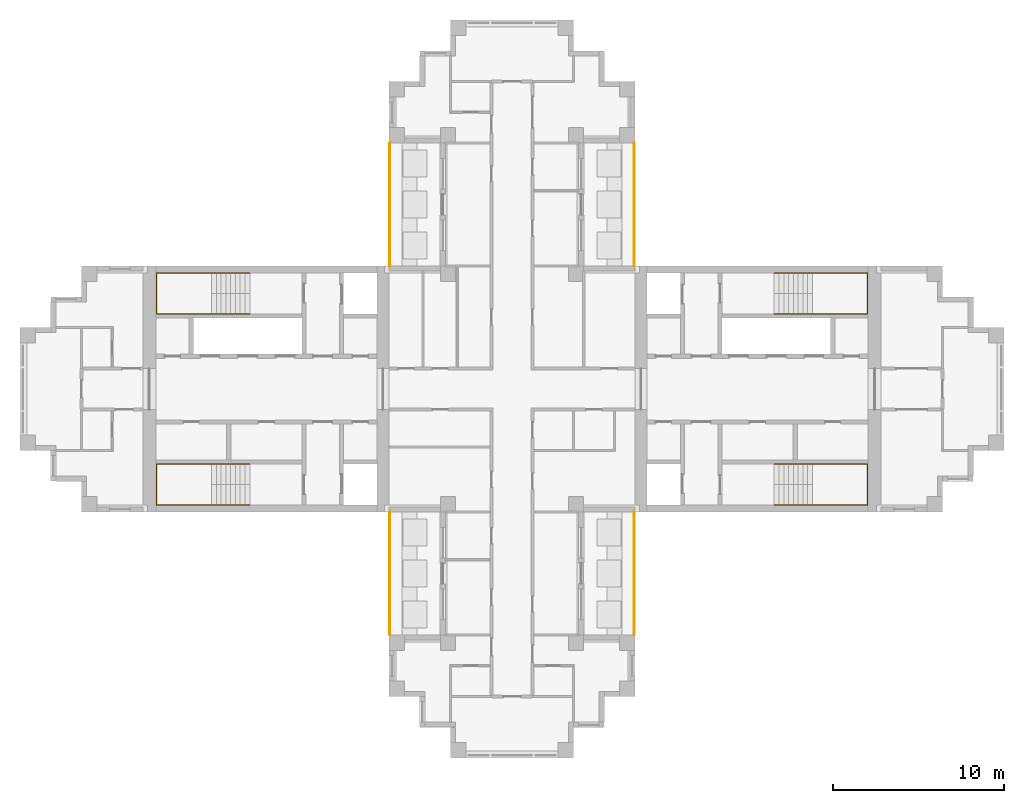
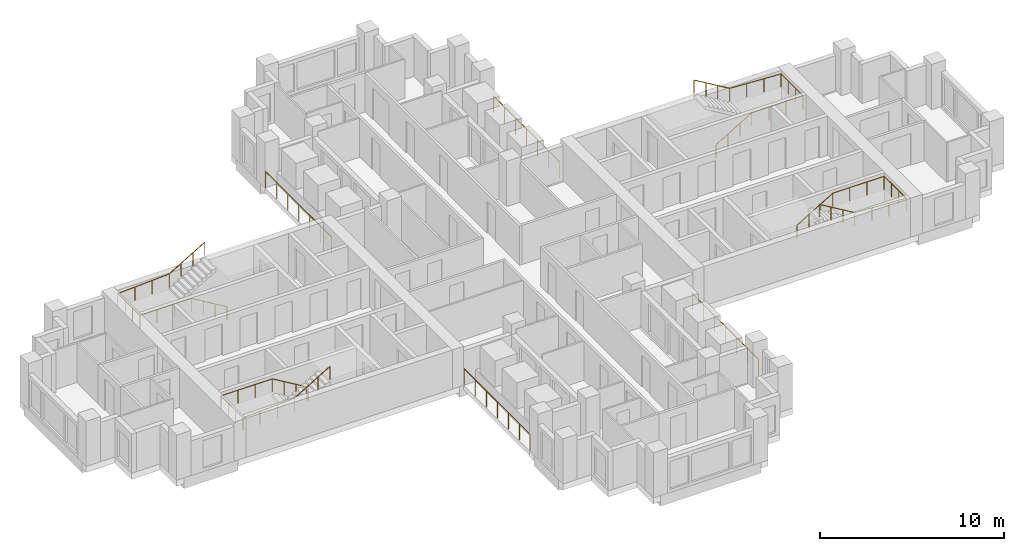
# One storey, part 9 of 10: 8 railings.
"""IFC4 building model written with IfcOpenShell, lengths in metres."""

import ifcopenshell
import ifcopenshell.guid

model = None  # the IFC model being written
_history = None  # IfcOwnerHistory: only IFC2X3 demands one
_inside = {}  # id of a spatial element -> (the spatial element, [elements in it])
_under = {}  # id of a project, library or spatial element -> (it, [spatial elements below it])
_declared = {}  # id of a project -> (the project, [libraries it declares])
_typed = {}  # id of a type object -> (the type object, [elements of that type])
_made_of = {}  # id of a material, layer set ... -> (it, [elements and type objects made of it])


def new_model(schema):
    """Start an empty IFC model of exactly this schema.

    Asked for "IFC4X3", IfcOpenShell would pick the latest addendum, in which some entities
    have other attributes; the version numbers below select the first issue.
    IFC2X3 requires an IfcOwnerHistory on every rooted entity: one is made here for all.
    """
    global model, _history
    if schema == "IFC4X3":
        model = ifcopenshell.file(schema_version=(4, 3, 0, 0))
    else:
        model = ifcopenshell.file(schema=schema)
    _inside.clear()
    _under.clear()
    _declared.clear()
    _typed.clear()
    _made_of.clear()
    _history = None
    if model.schema == "IFC2X3":
        org = make("IfcOrganization", Name="unknown")
        user = make(
            "IfcPersonAndOrganization",
            ThePerson=make("IfcPerson", FamilyName="unknown"),
            TheOrganization=org,
        )
        app = make(
            "IfcApplication",
            ApplicationDeveloper=org,
            Version="unknown",
            ApplicationFullName="unknown",
            ApplicationIdentifier="unknown",
        )
        _history = make(
            "IfcOwnerHistory",
            OwningUser=user,
            OwningApplication=app,
            ChangeAction="ADDED",
            CreationDate=0,
        )
    return model


def make(cls, **values):
    """One entity of the class cls with the attributes given. An attribute that is None is left unset."""
    return model.create_entity(
        cls, **{name: value for name, value in values.items() if value is not None}
    )


def rooted(cls, **values):
    """An entity with a GlobalId (a new one), such as an element, a storey or a relation."""
    return make(cls, GlobalId=ifcopenshell.guid.new(), OwnerHistory=_history, **values)


def si_unit(unit_type, name, prefix=None):
    """IfcSIUnit, for example si_unit("LENGTHUNIT", "METRE", prefix="MILLI")."""
    return make("IfcSIUnit", UnitType=unit_type, Prefix=prefix, Name=name)


def assignment(units):
    """IfcUnitAssignment: the units of a project."""
    return None if units is None else make("IfcUnitAssignment", Units=units)


def point(xyz):
    """IfcCartesianPoint."""
    return None if xyz is None else make("IfcCartesianPoint", Coordinates=xyz)


def direction(xyz):
    """IfcDirection."""
    return None if xyz is None else make("IfcDirection", DirectionRatios=xyz)


def frame(location, z_axis=None, x_axis=None):
    """IfcAxis2Placement3D, a coordinate frame: its origin and axes. An axis left out is left unset."""
    return make(
        "IfcAxis2Placement3D",
        Location=point(location),
        Axis=direction(z_axis),
        RefDirection=direction(x_axis),
    )


def frame_2d(location, x_axis=None):
    """IfcAxis2Placement2D, a coordinate frame in the plane: its origin and x axis."""
    return make(
        "IfcAxis2Placement2D", Location=point(location), RefDirection=direction(x_axis)
    )


def origin():
    """The frame at (0, 0, 0) with its axes left unset."""
    return frame((0.0, 0.0, 0.0))


def origin_2d():
    """The frame at (0, 0) in the plane with its x axis left unset."""
    return frame_2d((0.0, 0.0))


def place(relative_to, where):
    """IfcLocalPlacement: puts the frame where relative to a parent placement (None: the world)."""
    return make(
        "IfcLocalPlacement", PlacementRelTo=relative_to, RelativePlacement=where
    )


def context(
    kind, dimensions, precision=None, world=None, true_north=None, identifier=None
):
    """IfcGeometricRepresentationContext, for example the 3D "Model" context."""
    return make(
        "IfcGeometricRepresentationContext",
        ContextIdentifier=identifier,
        ContextType=kind,
        CoordinateSpaceDimension=dimensions,
        Precision=precision,
        WorldCoordinateSystem=world,
        TrueNorth=true_north,
    )


def subcontext(parent, identifier, kind, view, scale=None):
    """IfcGeometricRepresentationSubContext, for example "Body" below "Model"."""
    return make(
        "IfcGeometricRepresentationSubContext",
        ContextIdentifier=identifier,
        ContextType=kind,
        ParentContext=parent,
        TargetScale=scale,
        TargetView=view,
    )


def project(units=None, contexts=None):
    """IfcProject with its units and contexts."""
    return rooted(
        "IfcProject",
        Name="project",
        RepresentationContexts=contexts,
        UnitsInContext=assignment(units),
    )


def spatial(cls, under=None, at=None, **own):
    """A site, building, storey or space (cls), placed at a placement, below another one or the project."""
    s = rooted(cls, ObjectPlacement=at, **own)
    if under is not None:
        _under.setdefault(under.id(), (under, []))[1].append(s)
    return s


def profile(cls, at=None, kind="AREA", **sizes):
    """A parametric profile (cls). Its sizes go by their IFC names, for example OverallWidth=200.0."""
    return make(cls, ProfileType=kind, Position=at, **sizes)


def circle(**sizes):
    """IfcCircleProfileDef."""
    return profile("IfcCircleProfileDef", **sizes)


def extrude(swept, where, along, depth):
    """IfcExtrudedAreaSolid: the profile swept, set in the frame where, extruded along a direction by depth."""
    return make(
        "IfcExtrudedAreaSolid",
        SweptArea=swept,
        Position=where,
        ExtrudedDirection=direction(along),
        Depth=depth,
    )


def shape(context_of_items, identifier, shape_type, items):
    """IfcShapeRepresentation: the items that make up one representation, for example the "Body"."""
    return make(
        "IfcShapeRepresentation",
        ContextOfItems=context_of_items,
        RepresentationIdentifier=identifier,
        RepresentationType=shape_type,
        Items=items,
    )


def material(Name=None, Category=None):
    """IfcMaterial."""
    return make("IfcMaterial", Name=Name, Category=Category)


def made_of(thing, what):
    """Note that an element or type object is made of a material, layer set ...; save() writes the relation."""
    if what is not None:
        _made_of.setdefault(what.id(), (what, []))[1].append(thing)
    return thing


def type_object(cls, material=None, **own):
    """A type object (cls), such as IfcWallType, which elements share."""
    return made_of(rooted(cls, **own), material)


def element(
    cls,
    number,
    at=None,
    inside=None,
    cuts=None,
    type_object=None,
    material=None,
    context=None,
    identifier="Body",
    shape_type=None,
    held_by="IfcProductDefinitionShape",
    body=None,
    shapes=None,
    **own,
):
    """One element of the class cls, such as IfcWall. Its Tag is "e" and its number.

    at: its placement. inside: the storey or other place that contains it. cuts: it is an
    opening in that element (IfcRelVoidsElement). A single representation is given by context,
    identifier, shape_type and body (its items); several are given by shapes. held_by: the class
    of the entity that holds the representations. save() writes the other relations.
    """
    e = rooted(cls, Tag="e%d" % number, ObjectPlacement=at, **own)
    if body is not None:
        shapes = [shape(context, identifier, shape_type, body)]
    if shapes is not None:
        e.Representation = make(held_by, Representations=shapes)
    if inside is not None:
        _inside.setdefault(inside.id(), (inside, []))[1].append(e)
    if cuts is not None:
        rooted(
            "IfcRelVoidsElement", RelatingBuildingElement=cuts, RelatedOpeningElement=e
        )
    if type_object is not None:
        _typed.setdefault(type_object.id(), (type_object, []))[1].append(e)
    return made_of(e, material)


def aggregate(whole, parts):
    """IfcRelAggregates: a whole, such as a stair, and the parts it consists of."""
    return rooted("IfcRelAggregates", RelatingObject=whole, RelatedObjects=parts)


def save(model, path):
    """Write the relations noted so far, then the file.

    IfcRelAggregates (storeys below a building ...), IfcRelContainedInSpatialStructure (elements
    in a storey), IfcRelDefinesByType, IfcRelAssociatesMaterial and IfcRelDeclares: one each for
    every whole, place, type object, material and project.
    """
    for whole, parts in _under.values():
        aggregate(whole, parts)
    for where, things in _inside.values():
        rooted(
            "IfcRelContainedInSpatialStructure",
            RelatedElements=things,
            RelatingStructure=where,
        )
    for kind, things in _typed.values():
        rooted("IfcRelDefinesByType", RelatedObjects=things, RelatingType=kind)
    for what, things in _made_of.values():
        rooted("IfcRelAssociatesMaterial", RelatedObjects=things, RelatingMaterial=what)
    for by, libraries in _declared.values():
        rooted("IfcRelDeclares", RelatingContext=by, RelatedDefinitions=libraries)
    model.write(path)


model = new_model("IFC4")

# Units and contexts
model_context = context("Model", 3, precision=1e-05, world=origin(), true_north=direction((0.0, 1.0)))
body_context = subcontext(model_context, "Body", "Model", "MODEL_VIEW")
ifc_project = project(units=[si_unit("LENGTHUNIT", "METRE"), si_unit("AREAUNIT", "SQUARE_METRE"), si_unit("VOLUMEUNIT", "CUBIC_METRE"), si_unit("PLANEANGLEUNIT", "RADIAN"), si_unit("MASSUNIT", "GRAM", prefix="KILO")], contexts=[model_context])

# Site, building, storey
site_placement = place(None, origin())
site = spatial("IfcSite", under=ifc_project, at=site_placement, CompositionType="ELEMENT")
building_placement = place(site_placement, origin())
building = spatial("IfcBuilding", under=site, at=building_placement, Name="Fustian Cross Tower", CompositionType="ELEMENT")
storey_placement = place(building_placement, frame((0.0, 0.0, 204.89990234375)))
storey = spatial("IfcBuildingStorey", under=building, at=storey_placement, Name="L64", CompositionType="ELEMENT", Elevation=204.89990234375)

# Railings
ifc_material_1 = material(Name="Stainless steel and glass", Category="steel")
railing_type_1 = type_object("IfcRailingType", Name="GR1 BALCONY GUARD 1100", PredefinedType="GUARDRAIL", material=ifc_material_1)
for number, where, name in (
    (1, (7.14990234375, 7.199951171875, 0.0), "Balcony guard"),
    (2, (-7.14990234375, 7.199951171875, 0.0), "Balcony guard"),
    (3, (7.14990234375, -14.39990234375, 0.0), "Balcony guard"),
    (4, (-7.14990234375, -14.39990234375, 0.0), "Balcony guard"),
):
    element("IfcRailing", number, at=place(storey_placement, frame(where)), inside=storey, type_object=railing_type_1, Name=name, PredefinedType="GUARDRAIL", context=body_context, shape_type="SweptSolid", body=[
        extrude(circle(Radius=0.02392578125, at=origin_2d()), frame((0.0, 0.0, 1.076171875), z_axis=(0.0, 1.0, 0.0), x_axis=(-1.0, 0.0, 0.0)), (0.0, 0.0, 1.0), 7.199951171875),
        extrude(circle(Radius=0.02099609375, at=origin_2d()), origin(), (0.0, 0.0, 1.0), 1.052001953125),
        extrude(circle(Radius=0.02099609375, at=origin_2d()), frame((0.0, 1.199951171875, 0.0)), (0.0, 0.0, 1.0), 1.052001953125),
        extrude(circle(Radius=0.02099609375, at=origin_2d()), frame((0.0, 2.39990234375, 0.0)), (0.0, 0.0, 1.0), 1.052001953125),
        extrude(circle(Radius=0.02099609375, at=origin_2d()), frame((0.0, 3.60009765625, 0.0)), (0.0, 0.0, 1.0), 1.052001953125),
        extrude(circle(Radius=0.02099609375, at=origin_2d()), frame((0.0, 4.800048828125, 0.0)), (0.0, 0.0, 1.0), 1.052001953125),
        extrude(circle(Radius=0.02099609375, at=origin_2d()), frame((0.0, 6.0, 0.0)), (0.0, 0.0, 1.0), 1.052001953125),
        extrude(circle(Radius=0.02099609375, at=origin_2d()), frame((0.0, 7.199951171875, 0.0)), (0.0, 0.0, 1.0), 1.052001953125),
    ])
ifc_material_2 = material(Name="Stainless steel", Category="steel")
railing_type_2 = type_object("IfcRailingType", Name="STAIR HANDRAIL", PredefinedType="HANDRAIL", material=ifc_material_2)
railing_1_placement = place(storey_placement, frame((15.35009765625, 4.39990234375, 0.166748046875)))
element("IfcRailing", 5, at=railing_1_placement, inside=storey, type_object=railing_type_2, Name="Stair ST1 handrail 1", PredefinedType="HANDRAIL", context=body_context, shape_type="SweptSolid", body=[
    extrude(circle(Radius=0.02490234375, at=origin_2d()), frame((0.0, 0.0, 0.875), z_axis=(0.859305625298, 0.0, 0.511462454469), x_axis=(0.0, 1.0, 0.0)), (0.0, 0.0, 1.0), 2.606689453125),
    extrude(circle(Radius=0.02490234375, at=origin_2d()), frame((2.239990234375, 0.0, 2.2080078125), z_axis=(1.0, 0.0, 0.0), x_axis=(0.0, 1.0, 0.0)), (0.0, 0.0, 1.0), 3.219970703125),
    extrude(circle(Radius=0.02490234375, at=origin_2d()), frame((5.4599609375, 0.0, 2.2080078125), z_axis=(0.0, 1.0, 0.0), x_axis=(-1.0, 0.0, 0.0)), (0.0, 0.0, 1.0), 2.400146484375),
    extrude(circle(Radius=0.02490234375, at=origin_2d()), frame((5.4599609375, 2.400146484375, 2.2080078125), z_axis=(-0.998661817807, 0.0, 0.051716280352), x_axis=(0.0, -1.0, 0.0)), (0.0, 0.0, 1.0), 3.224365234375),
    extrude(circle(Radius=0.02490234375, at=origin_2d()), frame((2.239990234375, 2.400146484375, 2.375), z_axis=(-0.859305625298, 0.0, 0.511462454469), x_axis=(0.0, -1.0, 0.0)), (0.0, 0.0, 1.0), 2.606689453125),
    extrude(circle(Radius=0.02001953125, at=origin_2d()), origin(), (0.0, 0.0, 1.0), 0.849853515625),
    extrude(circle(Radius=0.02001953125, at=origin_2d()), frame((0.74658203125, 0.0, 0.4443359375)), (0.0, 0.0, 1.0), 0.849853515625),
    extrude(circle(Radius=0.02001953125, at=origin_2d()), frame((1.493408203125, 0.0, 0.888916015625)), (0.0, 0.0, 1.0), 0.849853515625),
    extrude(circle(Radius=0.02001953125, at=origin_2d()), frame((2.239990234375, 0.0, 1.333251953125)), (0.0, 0.0, 1.0), 0.849853515625),
    extrude(circle(Radius=0.02001953125, at=origin_2d()), frame((3.313232421875, 0.0, 1.333251953125)), (0.0, 0.0, 1.0), 0.849853515625),
    extrude(circle(Radius=0.02001953125, at=origin_2d()), frame((4.38671875, 0.0, 1.333251953125)), (0.0, 0.0, 1.0), 0.849853515625),
    extrude(circle(Radius=0.02001953125, at=origin_2d()), frame((5.4599609375, 0.0, 1.333251953125)), (0.0, 0.0, 1.0), 0.849853515625),
    extrude(circle(Radius=0.02001953125, at=origin_2d()), frame((5.4599609375, 0.800048828125, 1.333251953125)), (0.0, 0.0, 1.0), 0.849853515625),
    extrude(circle(Radius=0.02001953125, at=origin_2d()), frame((5.4599609375, 1.60009765625, 1.333251953125)), (0.0, 0.0, 1.0), 0.849853515625),
    extrude(circle(Radius=0.02001953125, at=origin_2d()), frame((5.4599609375, 2.400146484375, 1.333251953125)), (0.0, 0.0, 1.0), 0.849853515625),
    extrude(circle(Radius=0.02001953125, at=origin_2d()), frame((4.38671875, 2.400146484375, 1.388916015625)), (0.0, 0.0, 1.0), 0.849853515625),
    extrude(circle(Radius=0.02001953125, at=origin_2d()), frame((3.313232421875, 2.400146484375, 1.4443359375)), (0.0, 0.0, 1.0), 0.849853515625),
    extrude(circle(Radius=0.02001953125, at=origin_2d()), frame((2.239990234375, 2.400146484375, 1.5)), (0.0, 0.0, 1.0), 0.849853515625),
    extrude(circle(Radius=0.02001953125, at=origin_2d()), frame((1.493408203125, 2.400146484375, 1.9443359375)), (0.0, 0.0, 1.0), 0.849853515625),
    extrude(circle(Radius=0.02001953125, at=origin_2d()), frame((0.74658203125, 2.400146484375, 2.388916015625)), (0.0, 0.0, 1.0), 0.849853515625),
    extrude(circle(Radius=0.02001953125, at=origin_2d()), frame((0.0, 2.400146484375, 2.833251953125)), (0.0, 0.0, 1.0), 0.849853515625),
])
railing_2_placement = place(storey_placement, frame((15.35009765625, -4.39990234375, 0.166748046875)))
element("IfcRailing", 6, at=railing_2_placement, inside=storey, type_object=railing_type_2, Name="Stair ST2 handrail 1", PredefinedType="HANDRAIL", context=body_context, shape_type="SweptSolid", body=[
    extrude(circle(Radius=0.02490234375, at=origin_2d()), frame((0.0, 0.0, 0.875), z_axis=(0.859305625298, 0.0, 0.511462454469), x_axis=(0.0, 1.0, 0.0)), (0.0, 0.0, 1.0), 2.606689453125),
    extrude(circle(Radius=0.02490234375, at=origin_2d()), frame((2.239990234375, 0.0, 2.2080078125), z_axis=(1.0, 0.0, 0.0), x_axis=(0.0, 1.0, 0.0)), (0.0, 0.0, 1.0), 3.219970703125),
    extrude(circle(Radius=0.02490234375, at=origin_2d()), frame((5.4599609375, 0.0, 2.2080078125), z_axis=(0.0, -1.0, 0.0), x_axis=(1.0, 0.0, 0.0)), (0.0, 0.0, 1.0), 2.400146484375),
    extrude(circle(Radius=0.02490234375, at=origin_2d()), frame((5.4599609375, -2.400146484375, 2.2080078125), z_axis=(-0.998661817807, 0.0, 0.051716280352), x_axis=(0.0, -1.0, 0.0)), (0.0, 0.0, 1.0), 3.224365234375),
    extrude(circle(Radius=0.02490234375, at=origin_2d()), frame((2.239990234375, -2.400146484375, 2.375), z_axis=(-0.859305625298, 0.0, 0.511462454469), x_axis=(0.0, -1.0, 0.0)), (0.0, 0.0, 1.0), 2.606689453125),
    extrude(circle(Radius=0.02001953125, at=origin_2d()), origin(), (0.0, 0.0, 1.0), 0.849853515625),
    extrude(circle(Radius=0.02001953125, at=origin_2d()), frame((0.74658203125, 0.0, 0.4443359375)), (0.0, 0.0, 1.0), 0.849853515625),
    extrude(circle(Radius=0.02001953125, at=origin_2d()), frame((1.493408203125, 0.0, 0.888916015625)), (0.0, 0.0, 1.0), 0.849853515625),
    extrude(circle(Radius=0.02001953125, at=origin_2d()), frame((2.239990234375, 0.0, 1.333251953125)), (0.0, 0.0, 1.0), 0.849853515625),
    extrude(circle(Radius=0.02001953125, at=origin_2d()), frame((3.313232421875, 0.0, 1.333251953125)), (0.0, 0.0, 1.0), 0.849853515625),
    extrude(circle(Radius=0.02001953125, at=origin_2d()), frame((4.38671875, 0.0, 1.333251953125)), (0.0, 0.0, 1.0), 0.849853515625),
    extrude(circle(Radius=0.02001953125, at=origin_2d()), frame((5.4599609375, 0.0, 1.333251953125)), (0.0, 0.0, 1.0), 0.849853515625),
    extrude(circle(Radius=0.02001953125, at=origin_2d()), frame((5.4599609375, -0.800048828125, 1.333251953125)), (0.0, 0.0, 1.0), 0.849853515625),
    extrude(circle(Radius=0.02001953125, at=origin_2d()), frame((5.4599609375, -1.60009765625, 1.333251953125)), (0.0, 0.0, 1.0), 0.849853515625),
    extrude(circle(Radius=0.02001953125, at=origin_2d()), frame((5.4599609375, -2.400146484375, 1.333251953125)), (0.0, 0.0, 1.0), 0.849853515625),
    extrude(circle(Radius=0.02001953125, at=origin_2d()), frame((4.38671875, -2.400146484375, 1.388916015625)), (0.0, 0.0, 1.0), 0.849853515625),
    extrude(circle(Radius=0.02001953125, at=origin_2d()), frame((3.313232421875, -2.400146484375, 1.4443359375)), (0.0, 0.0, 1.0), 0.849853515625),
    extrude(circle(Radius=0.02001953125, at=origin_2d()), frame((2.239990234375, -2.400146484375, 1.5)), (0.0, 0.0, 1.0), 0.849853515625),
    extrude(circle(Radius=0.02001953125, at=origin_2d()), frame((1.493408203125, -2.400146484375, 1.9443359375)), (0.0, 0.0, 1.0), 0.849853515625),
    extrude(circle(Radius=0.02001953125, at=origin_2d()), frame((0.74658203125, -2.400146484375, 2.388916015625)), (0.0, 0.0, 1.0), 0.849853515625),
    extrude(circle(Radius=0.02001953125, at=origin_2d()), frame((0.0, -2.400146484375, 2.833251953125)), (0.0, 0.0, 1.0), 0.849853515625),
])
railing_3_placement = place(storey_placement, frame((-15.35009765625, 4.39990234375, 0.166748046875)))
element("IfcRailing", 7, at=railing_3_placement, inside=storey, type_object=railing_type_2, Name="Stair ST3 handrail 1", PredefinedType="HANDRAIL", context=body_context, shape_type="SweptSolid", body=[
    extrude(circle(Radius=0.02490234375, at=origin_2d()), frame((0.0, 0.0, 0.875), z_axis=(-0.859305625298, 0.0, 0.511462454469), x_axis=(0.0, -1.0, 0.0)), (0.0, 0.0, 1.0), 2.606689453125),
    extrude(circle(Radius=0.02490234375, at=origin_2d()), frame((-2.239990234375, 0.0, 2.2080078125), z_axis=(-1.0, 0.0, 0.0), x_axis=(0.0, -1.0, 0.0)), (0.0, 0.0, 1.0), 3.219970703125),
    extrude(circle(Radius=0.02490234375, at=origin_2d()), frame((-5.4599609375, 0.0, 2.2080078125), z_axis=(0.0, 1.0, 0.0), x_axis=(-1.0, 0.0, 0.0)), (0.0, 0.0, 1.0), 2.400146484375),
    extrude(circle(Radius=0.02490234375, at=origin_2d()), frame((-5.4599609375, 2.400146484375, 2.2080078125), z_axis=(0.998661817807, 0.0, 0.051716280352), x_axis=(0.0, 1.0, 0.0)), (0.0, 0.0, 1.0), 3.224365234375),
    extrude(circle(Radius=0.02490234375, at=origin_2d()), frame((-2.239990234375, 2.400146484375, 2.375), z_axis=(0.859305625298, 0.0, 0.511462454469), x_axis=(0.0, 1.0, 0.0)), (0.0, 0.0, 1.0), 2.606689453125),
    extrude(circle(Radius=0.02001953125, at=origin_2d()), origin(), (0.0, 0.0, 1.0), 0.849853515625),
    extrude(circle(Radius=0.02001953125, at=origin_2d()), frame((-0.74658203125, 0.0, 0.4443359375)), (0.0, 0.0, 1.0), 0.849853515625),
    extrude(circle(Radius=0.02001953125, at=origin_2d()), frame((-1.493408203125, 0.0, 0.888916015625)), (0.0, 0.0, 1.0), 0.849853515625),
    extrude(circle(Radius=0.02001953125, at=origin_2d()), frame((-2.239990234375, 0.0, 1.333251953125)), (0.0, 0.0, 1.0), 0.849853515625),
    extrude(circle(Radius=0.02001953125, at=origin_2d()), frame((-3.313232421875, 0.0, 1.333251953125)), (0.0, 0.0, 1.0), 0.849853515625),
    extrude(circle(Radius=0.02001953125, at=origin_2d()), frame((-4.38671875, 0.0, 1.333251953125)), (0.0, 0.0, 1.0), 0.849853515625),
    extrude(circle(Radius=0.02001953125, at=origin_2d()), frame((-5.4599609375, 0.0, 1.333251953125)), (0.0, 0.0, 1.0), 0.849853515625),
    extrude(circle(Radius=0.02001953125, at=origin_2d()), frame((-5.4599609375, 0.800048828125, 1.333251953125)), (0.0, 0.0, 1.0), 0.849853515625),
    extrude(circle(Radius=0.02001953125, at=origin_2d()), frame((-5.4599609375, 1.60009765625, 1.333251953125)), (0.0, 0.0, 1.0), 0.849853515625),
    extrude(circle(Radius=0.02001953125, at=origin_2d()), frame((-5.4599609375, 2.400146484375, 1.333251953125)), (0.0, 0.0, 1.0), 0.849853515625),
    extrude(circle(Radius=0.02001953125, at=origin_2d()), frame((-4.38671875, 2.400146484375, 1.388916015625)), (0.0, 0.0, 1.0), 0.849853515625),
    extrude(circle(Radius=0.02001953125, at=origin_2d()), frame((-3.313232421875, 2.400146484375, 1.4443359375)), (0.0, 0.0, 1.0), 0.849853515625),
    extrude(circle(Radius=0.02001953125, at=origin_2d()), frame((-2.239990234375, 2.400146484375, 1.5)), (0.0, 0.0, 1.0), 0.849853515625),
    extrude(circle(Radius=0.02001953125, at=origin_2d()), frame((-1.493408203125, 2.400146484375, 1.9443359375)), (0.0, 0.0, 1.0), 0.849853515625),
    extrude(circle(Radius=0.02001953125, at=origin_2d()), frame((-0.74658203125, 2.400146484375, 2.388916015625)), (0.0, 0.0, 1.0), 0.849853515625),
    extrude(circle(Radius=0.02001953125, at=origin_2d()), frame((0.0, 2.400146484375, 2.833251953125)), (0.0, 0.0, 1.0), 0.849853515625),
])
railing_4_placement = place(storey_placement, frame((-15.35009765625, -4.39990234375, 0.166748046875)))
element("IfcRailing", 8, at=railing_4_placement, inside=storey, type_object=railing_type_2, Name="Stair ST4 handrail 1", PredefinedType="HANDRAIL", context=body_context, shape_type="SweptSolid", body=[
    extrude(circle(Radius=0.02490234375, at=origin_2d()), frame((0.0, 0.0, 0.875), z_axis=(-0.859305625298, 0.0, 0.511462454469), x_axis=(0.0, -1.0, 0.0)), (0.0, 0.0, 1.0), 2.606689453125),
    extrude(circle(Radius=0.02490234375, at=origin_2d()), frame((-2.239990234375, 0.0, 2.2080078125), z_axis=(-1.0, 0.0, 0.0), x_axis=(0.0, -1.0, 0.0)), (0.0, 0.0, 1.0), 3.219970703125),
    extrude(circle(Radius=0.02490234375, at=origin_2d()), frame((-5.4599609375, 0.0, 2.2080078125), z_axis=(0.0, -1.0, 0.0), x_axis=(1.0, 0.0, 0.0)), (0.0, 0.0, 1.0), 2.400146484375),
    extrude(circle(Radius=0.02490234375, at=origin_2d()), frame((-5.4599609375, -2.400146484375, 2.2080078125), z_axis=(0.998661817807, 0.0, 0.051716280352), x_axis=(0.0, 1.0, 0.0)), (0.0, 0.0, 1.0), 3.224365234375),
    extrude(circle(Radius=0.02490234375, at=origin_2d()), frame((-2.239990234375, -2.400146484375, 2.375), z_axis=(0.859305625298, 0.0, 0.511462454469), x_axis=(0.0, 1.0, 0.0)), (0.0, 0.0, 1.0), 2.606689453125),
    extrude(circle(Radius=0.02001953125, at=origin_2d()), origin(), (0.0, 0.0, 1.0), 0.849853515625),
    extrude(circle(Radius=0.02001953125, at=origin_2d()), frame((-0.74658203125, 0.0, 0.4443359375)), (0.0, 0.0, 1.0), 0.849853515625),
    extrude(circle(Radius=0.02001953125, at=origin_2d()), frame((-1.493408203125, 0.0, 0.888916015625)), (0.0, 0.0, 1.0), 0.849853515625),
    extrude(circle(Radius=0.02001953125, at=origin_2d()), frame((-2.239990234375, 0.0, 1.333251953125)), (0.0, 0.0, 1.0), 0.849853515625),
    extrude(circle(Radius=0.02001953125, at=origin_2d()), frame((-3.313232421875, 0.0, 1.333251953125)), (0.0, 0.0, 1.0), 0.849853515625),
    extrude(circle(Radius=0.02001953125, at=origin_2d()), frame((-4.38671875, 0.0, 1.333251953125)), (0.0, 0.0, 1.0), 0.849853515625),
    extrude(circle(Radius=0.02001953125, at=origin_2d()), frame((-5.4599609375, 0.0, 1.333251953125)), (0.0, 0.0, 1.0), 0.849853515625),
    extrude(circle(Radius=0.02001953125, at=origin_2d()), frame((-5.4599609375, -0.800048828125, 1.333251953125)), (0.0, 0.0, 1.0), 0.849853515625),
    extrude(circle(Radius=0.02001953125, at=origin_2d()), frame((-5.4599609375, -1.60009765625, 1.333251953125)), (0.0, 0.0, 1.0), 0.849853515625),
    extrude(circle(Radius=0.02001953125, at=origin_2d()), frame((-5.4599609375, -2.400146484375, 1.333251953125)), (0.0, 0.0, 1.0), 0.849853515625),
    extrude(circle(Radius=0.02001953125, at=origin_2d()), frame((-4.38671875, -2.400146484375, 1.388916015625)), (0.0, 0.0, 1.0), 0.849853515625),
    extrude(circle(Radius=0.02001953125, at=origin_2d()), frame((-3.313232421875, -2.400146484375, 1.4443359375)), (0.0, 0.0, 1.0), 0.849853515625),
    extrude(circle(Radius=0.02001953125, at=origin_2d()), frame((-2.239990234375, -2.400146484375, 1.5)), (0.0, 0.0, 1.0), 0.849853515625),
    extrude(circle(Radius=0.02001953125, at=origin_2d()), frame((-1.493408203125, -2.400146484375, 1.9443359375)), (0.0, 0.0, 1.0), 0.849853515625),
    extrude(circle(Radius=0.02001953125, at=origin_2d()), frame((-0.74658203125, -2.400146484375, 2.388916015625)), (0.0, 0.0, 1.0), 0.849853515625),
    extrude(circle(Radius=0.02001953125, at=origin_2d()), frame((0.0, -2.400146484375, 2.833251953125)), (0.0, 0.0, 1.0), 0.849853515625),
])

save(model, "model.ifc")
